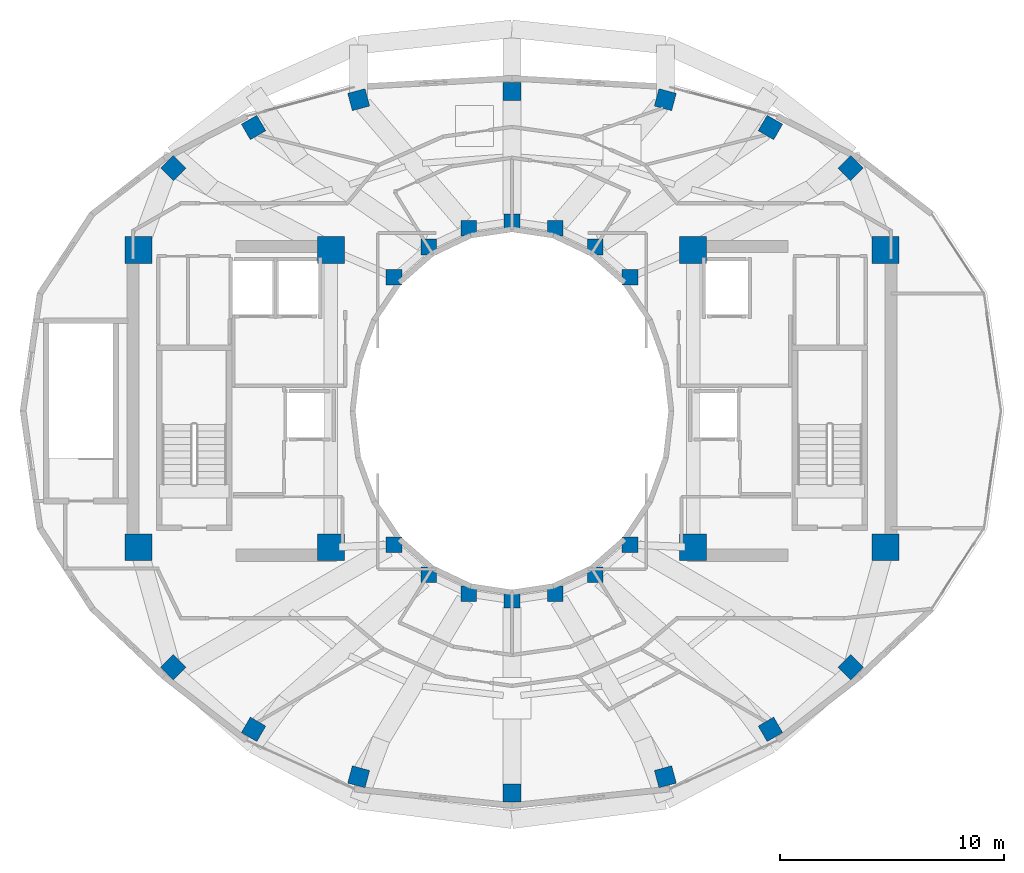
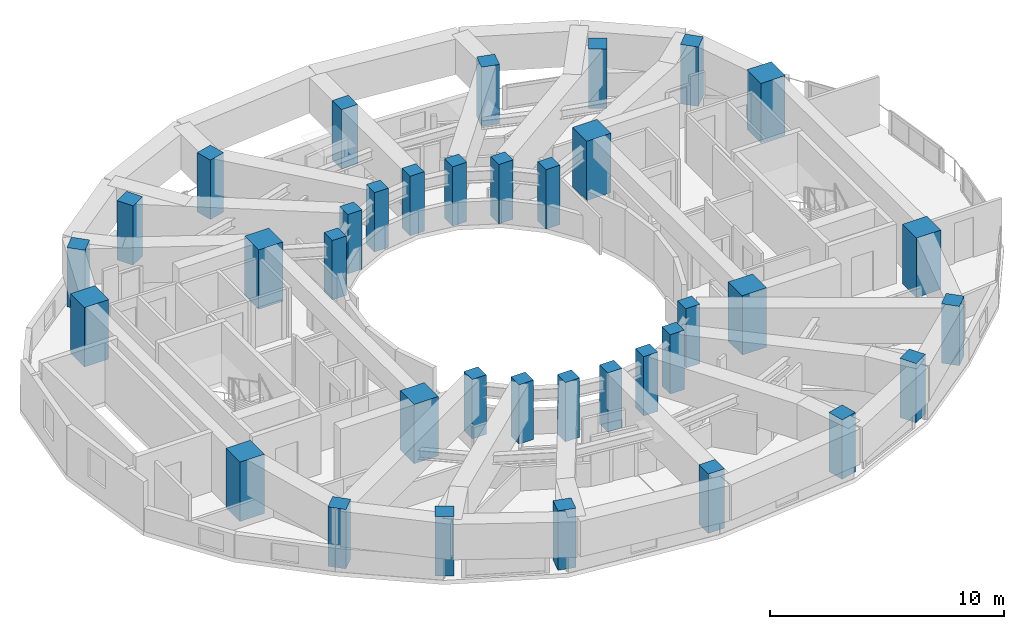
# One storey, part 1 of 20: 36 columns.
"""IFC4 building model written with IfcOpenShell, lengths in metres."""

from ifc_helpers import new_model, si_unit, direction, frame, origin, origin_2d, place, context, subcontext, project, spatial, rectangle, extrude, material, material_profile, profile_set, type_object, element, save


model = new_model("IFC4")

# Units and contexts
model_context = context("Model", 3, precision=1e-05, world=origin(), true_north=direction((0.0, 1.0)))
body_context = subcontext(model_context, "Body", "Model", "MODEL_VIEW")
ifc_project = project(units=[si_unit("LENGTHUNIT", "METRE"), si_unit("AREAUNIT", "SQUARE_METRE"), si_unit("VOLUMEUNIT", "CUBIC_METRE"), si_unit("PLANEANGLEUNIT", "RADIAN"), si_unit("MASSUNIT", "GRAM", prefix="KILO")], contexts=[model_context])

# Site, building, storey
site_placement = place(None, origin())
site = spatial("IfcSite", under=ifc_project, at=site_placement, CompositionType="ELEMENT")
building_placement = place(site_placement, origin())
building = spatial("IfcBuilding", under=site, at=building_placement, Name="Solvane Sanctuary Tower", CompositionType="ELEMENT")
storey_placement = place(building_placement, frame((0.0, 0.0, 217.10009765625)))
storey = spatial("IfcBuildingStorey", under=building, at=storey_placement, Name="L66", CompositionType="ELEMENT", Elevation=217.10009765625)

# Columns
ifc_material_1 = material(Name="Concrete C50/60", Category="concrete")
ifc_material_profile_1 = material_profile(ifc_material_1, rectangle(XDim=0.699951171875, YDim=0.699951171875, at=origin_2d()), Name="RC700X700")
ifc_profile_set_1 = profile_set([ifc_material_profile_1], Name="Concrete C50/60")
column_type_1 = type_object("IfcColumnType", Name="Column C-RING-Z4 RC700X700", PredefinedType="COLUMN", material=ifc_profile_set_1)
for number, where, z_axis, x_axis, name in (
    (1, (37.27490234375, 28.982177734375, 0.0), (0.0, 0.0, 1.0), (1.0, 0.0, 0.0), "L66 Inner Light-Well Ring Column IC01"),
    (2, (35.72998046875, 30.32666015625, 0.0), (0.0, 0.0, 1.0), (1.0, 0.0, 0.0), "L66 Inner Light-Well Ring Column IC02"),
    (3, (33.930908203125, 31.171630859375, 0.0), (0.0, 0.0, 1.0), (1.0, 0.0, 0.0), "L66 Inner Light-Well Ring Column IC03"),
    (4, (32.0, 31.4599609375, 0.0), (0.0, 0.0, 1.0), (1.0, 0.0, 0.0), "L66 Inner Light-Well Ring Column IC04"),
    (5, (30.069091796875, 31.171630859375, 0.0), (0.0, 0.0, 1.0), (1.0, 0.0, 0.0), "L66 Inner Light-Well Ring Column IC05"),
    (6, (28.27001953125, 30.32666015625, 0.0), (0.0, 0.0, 1.0), (1.0, 0.0, 0.0), "L66 Inner Light-Well Ring Column IC06"),
    (7, (26.72509765625, 28.982177734375, 0.0), (0.0, 0.0, 1.0), (1.0, 0.0, 0.0), "L66 Inner Light-Well Ring Column IC07"),
    (8, (26.72509765625, 17.017822265625, 0.0), (0.0, 0.0, 1.0), (1.0, 0.0, 0.0), "L66 Inner Light-Well Ring Column IC08"),
    (9, (28.27001953125, 15.67333984375, 0.0), (0.0, 0.0, 1.0), (1.0, 0.0, 0.0), "L66 Inner Light-Well Ring Column IC09"),
    (10, (30.069091796875, 14.828369140625, 0.0), (0.0, 0.0, 1.0), (1.0, 0.0, 0.0), "L66 Inner Light-Well Ring Column IC10"),
    (11, (32.0, 14.5400390625, 0.0), (0.0, 0.0, 1.0), (1.0, 0.0, 0.0), "L66 Inner Light-Well Ring Column IC11"),
    (12, (33.930908203125, 14.828369140625, 0.0), (0.0, 0.0, 1.0), (1.0, 0.0, 0.0), "L66 Inner Light-Well Ring Column IC12"),
    (13, (35.72998046875, 15.67333984375, 0.0), (0.0, 0.0, 1.0), (1.0, 0.0, 0.0), "L66 Inner Light-Well Ring Column IC13"),
    (14, (37.27490234375, 17.017822265625, 0.0), (0.0, 0.0, 1.0), (1.0, 0.0, 0.0), "L66 Inner Light-Well Ring Column IC14"),
):
    element("IfcColumn", number, at=place(storey_placement, frame(where, z_axis=z_axis, x_axis=x_axis)), inside=storey, type_object=column_type_1, Name=name, PredefinedType="COLUMN", context=body_context, shape_type="SweptSolid", body=[
        extrude(rectangle(XDim=0.699951171875, YDim=0.699951171875, at=origin_2d()), origin(), (0.0, 0.0, 1.0), 3.099853515625),
    ])
ifc_material_2 = material(Name="Concrete C70/85", Category="concrete")
ifc_material_profile_2 = material_profile(ifc_material_2, rectangle(XDim=1.199951171875, YDim=1.199951171875, at=origin_2d()), Name="RC1200X1200")
ifc_profile_set_2 = profile_set([ifc_material_profile_2], Name="Concrete C70/85")
column_type_2 = type_object("IfcColumnType", Name="Column C-TUBE-Z1 RC1200X1200", PredefinedType="COLUMN", material=ifc_profile_set_2)
for number, where, z_axis, x_axis, name in (
    (15, (15.300048828125, 16.89990234375, 0.0), (0.0, 0.0, 1.0), (1.0, 0.0, 0.0), "L66 Core Corner Column CW1"),
    (16, (23.89990234375, 16.89990234375, 0.0), (0.0, 0.0, 1.0), (1.0, 0.0, 0.0), "L66 Core Corner Column CW2"),
    (17, (23.89990234375, 30.199951171875, 0.0), (0.0, 0.0, 1.0), (1.0, 0.0, 0.0), "L66 Core Corner Column CW3"),
    (18, (15.300048828125, 30.199951171875, 0.0), (0.0, 0.0, 1.0), (1.0, 0.0, 0.0), "L66 Core Corner Column CW4"),
    (19, (40.10009765625, 16.89990234375, 0.0), (0.0, 0.0, 1.0), (1.0, 0.0, 0.0), "L66 Core Corner Column CE1"),
    (20, (48.699951171875, 16.89990234375, 0.0), (0.0, 0.0, 1.0), (1.0, 0.0, 0.0), "L66 Core Corner Column CE2"),
    (21, (48.699951171875, 30.199951171875, 0.0), (0.0, 0.0, 1.0), (1.0, 0.0, 0.0), "L66 Core Corner Column CE3"),
    (22, (40.10009765625, 30.199951171875, 0.0), (0.0, 0.0, 1.0), (1.0, 0.0, 0.0), "L66 Core Corner Column CE4"),
):
    element("IfcColumn", number, at=place(storey_placement, frame(where, z_axis=z_axis, x_axis=x_axis)), inside=storey, type_object=column_type_2, Name=name, PredefinedType="COLUMN", context=body_context, shape_type="SweptSolid", body=[
        extrude(rectangle(XDim=1.199951171875, YDim=1.199951171875, at=origin_2d()), origin(), (0.0, 0.0, 1.0), 3.099853515625),
    ])
ifc_material_profile_3 = material_profile(ifc_material_1, rectangle(XDim=0.800048828125, YDim=0.800048828125, at=origin_2d()), Name="RC800X800")
ifc_profile_set_3 = profile_set([ifc_material_profile_3], Name="Concrete C50/60")
column_type_3 = type_object("IfcColumnType", Name="Column C-TUBE-Z4 RC800X800", PredefinedType="COLUMN", material=ifc_profile_set_3)
for number, where, z_axis, x_axis, name in (
    (23, (47.14501953125, 33.85693359375, 0.0), (0.0, 0.0, 1.0), (0.707106781187, 0.707106781187, 0.0), "L66 Perimeter Tube Column TC01"),
    (24, (43.55517578125, 35.672607421875, 0.0), (0.0, 0.0, 1.0), (0.5, 0.866025403784, 0.0), "L66 Perimeter Tube Column TC02"),
    (25, (38.856201171875, 36.914306640625, 0.0), (0.0, 0.0, 1.0), (0.258819045103, 0.965925826289, 0.0), "L66 Perimeter Tube Column TC03"),
    (26, (32.0, 37.280029296875, 0.0), (0.0, 0.0, 1.0), (0.0, 1.0, 0.0), "L66 Perimeter Tube Column TC04"),
    (27, (25.143798828125, 36.914306640625, 0.0), (0.0, 0.0, 1.0), (-0.258819045103, 0.965925826289, 0.0), "L66 Perimeter Tube Column TC05"),
    (28, (20.44482421875, 35.672607421875, 0.0), (0.0, 0.0, 1.0), (-0.5, 0.866025403784, 0.0), "L66 Perimeter Tube Column TC06"),
    (29, (16.85498046875, 33.85693359375, 0.0), (0.0, 0.0, 1.0), (-0.707106781187, 0.707106781187, 0.0), "L66 Perimeter Tube Column TC07"),
    (30, (16.85498046875, 11.538330078125, 0.0), (0.0, 0.0, 1.0), (-0.707106781187, -0.707106781187, 0.0), "L66 Perimeter Tube Column TC08"),
    (31, (20.44482421875, 8.758544921875, 0.0), (0.0, 0.0, 1.0), (-0.5, -0.866025403784, 0.0), "L66 Perimeter Tube Column TC09"),
    (32, (25.143798828125, 6.6376953125, 0.0), (0.0, 0.0, 1.0), (-0.258819045103, -0.965925826289, 0.0), "L66 Perimeter Tube Column TC10"),
    (33, (32.0, 5.919921875, 0.0), (0.0, 0.0, 1.0), (0.0, -1.0, 0.0), "L66 Perimeter Tube Column TC11"),
    (34, (38.856201171875, 6.6376953125, 0.0), (0.0, 0.0, 1.0), (0.258819045103, -0.965925826289, 0.0), "L66 Perimeter Tube Column TC12"),
    (35, (43.55517578125, 8.758544921875, 0.0), (0.0, 0.0, 1.0), (0.5, -0.866025403784, 0.0), "L66 Perimeter Tube Column TC13"),
    (36, (47.14501953125, 11.538330078125, 0.0), (0.0, 0.0, 1.0), (0.707106781187, -0.707106781187, 0.0), "L66 Perimeter Tube Column TC14"),
):
    element("IfcColumn", number, at=place(storey_placement, frame(where, z_axis=z_axis, x_axis=x_axis)), inside=storey, type_object=column_type_3, Name=name, PredefinedType="COLUMN", context=body_context, shape_type="SweptSolid", body=[
        extrude(rectangle(XDim=0.800048828125, YDim=0.800048828125, at=origin_2d()), origin(), (0.0, 0.0, 1.0), 3.099853515625),
    ])

save(model, "model.ifc")
